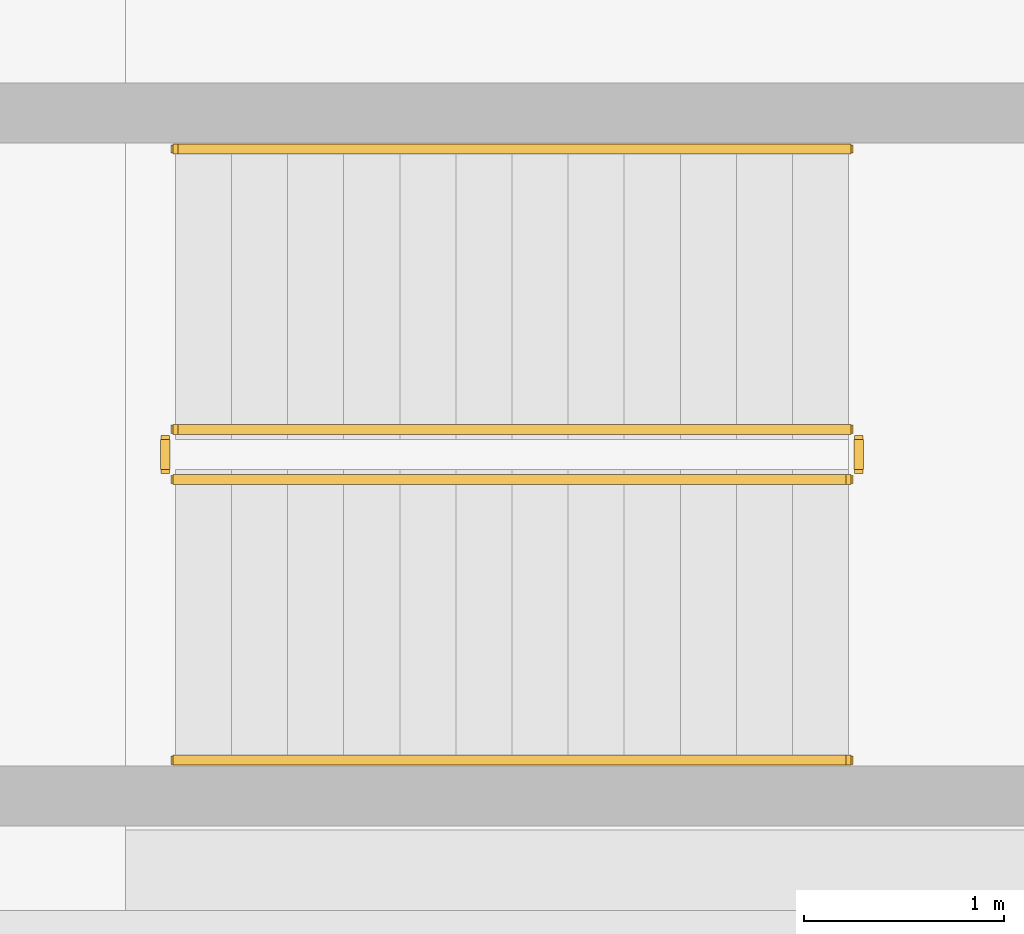
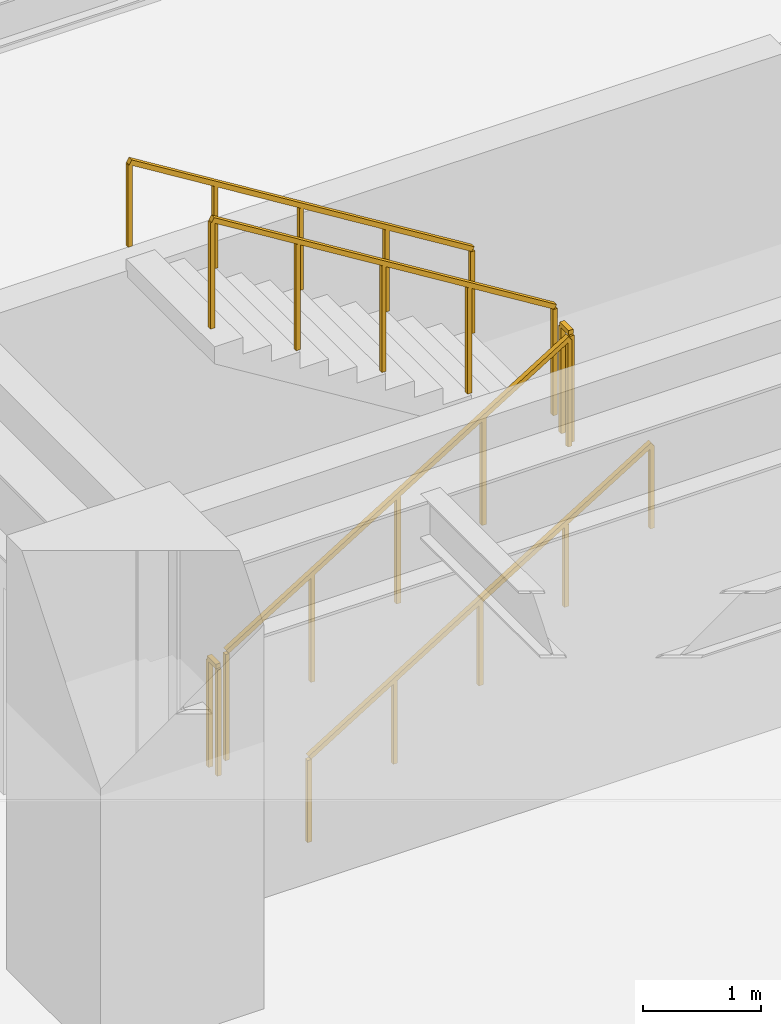
# One storey, part 9 of 10: 6 railings.
"""IFC4 building model written with IfcOpenShell, lengths in metres."""

from ifc_helpers import new_model, si_unit, direction, frame, origin, origin_2d, place, context, subcontext, project, spatial, rectangle, extrude, material, type_object, element, save


model = new_model("IFC4")

# Units and contexts
model_context = context("Model", 3, precision=1e-05, world=origin(), true_north=direction((0.0, 1.0)))
body_context = subcontext(model_context, "Body", "Model", "MODEL_VIEW")
ifc_project = project(units=[si_unit("LENGTHUNIT", "METRE"), si_unit("AREAUNIT", "SQUARE_METRE"), si_unit("VOLUMEUNIT", "CUBIC_METRE"), si_unit("PLANEANGLEUNIT", "RADIAN"), si_unit("MASSUNIT", "GRAM", prefix="KILO")], contexts=[model_context])

# Site, building, storey
site_placement = place(None, origin())
site = spatial("IfcSite", under=ifc_project, at=site_placement, CompositionType="ELEMENT")
building_placement = place(site_placement, origin())
building = spatial("IfcBuilding", under=site, at=building_placement, Name="Mawjaban Terraces University", CompositionType="ELEMENT")
storey_placement = place(building_placement, frame((0.0, 0.0, -9.0)))
storey = spatial("IfcBuildingStorey", under=building, at=storey_placement, Name="B2", CompositionType="ELEMENT", Elevation=-9.0)

# Railings
ifc_material_1 = material(Name="Brushed stainless steel 316", Category="steel")
railing_type_1 = type_object("IfcRailingType", Name="StairWallHandrail_900", PredefinedType="HANDRAIL", material=ifc_material_1)
railing_1_placement = place(storey_placement, frame((39.89990234375, 42.14990234375, 0.173095703125)))
element("IfcRailing", 1, at=railing_1_placement, inside=storey, type_object=railing_type_1, Name="B2 ST-4 stair handrail 1", PredefinedType="HANDRAIL", context=body_context, shape_type="SweptSolid", body=[
    extrude(rectangle(XDim=0.048095703125, YDim=0.048095703125, at=origin_2d()), frame((0.0, 0.0, 0.8759765625), z_axis=(0.850623216509, 0.0, 0.525775754039), x_axis=(0.0, 1.0, 0.0)), (0.0, 0.0, 1.0), 3.9501953125),
    extrude(rectangle(XDim=0.0419921875, YDim=0.0419921875, at=origin_2d()), origin(), (0.0, 0.0, 1.0), 0.851806640625),
    extrude(rectangle(XDim=0.0419921875, YDim=0.0419921875, at=origin_2d()), frame((0.840087890625, 0.0, 0.519287109375)), (0.0, 0.0, 1.0), 0.851806640625),
    extrude(rectangle(XDim=0.0419921875, YDim=0.0419921875, at=origin_2d()), frame((1.68017578125, 0.0, 1.03857421875)), (0.0, 0.0, 1.0), 0.851806640625),
    extrude(rectangle(XDim=0.0419921875, YDim=0.0419921875, at=origin_2d()), frame((2.52001953125, 0.0, 1.5576171875)), (0.0, 0.0, 1.0), 0.851806640625),
    extrude(rectangle(XDim=0.0419921875, YDim=0.0419921875, at=origin_2d()), frame((3.360107421875, 0.0, 2.076904296875)), (0.0, 0.0, 1.0), 0.851806640625),
])
railing_2_placement = place(storey_placement, frame((43.260009765625, 45.199951171875, 2.423095703125)))
element("IfcRailing", 2, at=railing_2_placement, inside=storey, type_object=railing_type_1, Name="B2 ST-4 stair handrail 2", PredefinedType="HANDRAIL", context=body_context, shape_type="SweptSolid", body=[
    extrude(rectangle(XDim=0.048095703125, YDim=0.048095703125, at=origin_2d()), frame((0.0, 0.0, 0.8759765625), z_axis=(-0.850623216509, 0.0, 0.525775754039), x_axis=(0.0, -1.0, 0.0)), (0.0, 0.0, 1.0), 3.9501953125),
    extrude(rectangle(XDim=0.0419921875, YDim=0.0419921875, at=origin_2d()), origin(), (0.0, 0.0, 1.0), 0.851806640625),
    extrude(rectangle(XDim=0.0419921875, YDim=0.0419921875, at=origin_2d()), frame((-0.840087890625, 0.0, 0.519287109375)), (0.0, 0.0, 1.0), 0.851806640625),
    extrude(rectangle(XDim=0.0419921875, YDim=0.0419921875, at=origin_2d()), frame((-1.68017578125, 0.0, 1.03857421875)), (0.0, 0.0, 1.0), 0.851806640625),
    extrude(rectangle(XDim=0.0419921875, YDim=0.0419921875, at=origin_2d()), frame((-2.52001953125, 0.0, 1.5576171875)), (0.0, 0.0, 1.0), 0.851806640625),
    extrude(rectangle(XDim=0.0419921875, YDim=0.0419921875, at=origin_2d()), frame((-3.360107421875, 0.0, 2.076904296875)), (0.0, 0.0, 1.0), 0.851806640625),
])
ifc_material_2 = material(Name="Galvanised painted steel S355", Category="steel")
railing_type_2 = type_object("IfcRailingType", Name="StairWellGuard_1150", PredefinedType="BALUSTRADE", material=ifc_material_2)
railing_3_placement = place(storey_placement, frame((39.89990234375, 43.550048828125, 0.173095703125)))
element("IfcRailing", 3, at=railing_3_placement, inside=storey, type_object=railing_type_2, Name="B2 ST-4 stair guard 1", PredefinedType="BALUSTRADE", context=body_context, shape_type="SweptSolid", body=[
    extrude(rectangle(XDim=0.048095703125, YDim=0.048095703125, at=origin_2d()), frame((0.0, 0.0, 1.1259765625), z_axis=(0.850623216509, 0.0, 0.525775754039), x_axis=(0.0, 1.0, 0.0)), (0.0, 0.0, 1.0), 3.9501953125),
    extrude(rectangle(XDim=0.0419921875, YDim=0.0419921875, at=origin_2d()), origin(), (0.0, 0.0, 1.0), 1.101806640625),
    extrude(rectangle(XDim=0.0419921875, YDim=0.0419921875, at=origin_2d()), frame((0.840087890625, 0.0, 0.519287109375)), (0.0, 0.0, 1.0), 1.101806640625),
    extrude(rectangle(XDim=0.0419921875, YDim=0.0419921875, at=origin_2d()), frame((1.68017578125, 0.0, 1.03857421875)), (0.0, 0.0, 1.0), 1.101806640625),
    extrude(rectangle(XDim=0.0419921875, YDim=0.0419921875, at=origin_2d()), frame((2.52001953125, 0.0, 1.5576171875)), (0.0, 0.0, 1.0), 1.101806640625),
    extrude(rectangle(XDim=0.0419921875, YDim=0.0419921875, at=origin_2d()), frame((3.360107421875, 0.0, 2.076904296875)), (0.0, 0.0, 1.0), 1.101806640625),
])
railing_4_placement = place(storey_placement, frame((43.31005859375, 43.60009765625, 2.25)))
element("IfcRailing", 4, at=railing_4_placement, inside=storey, type_object=railing_type_2, Name="B2 ST-4 stair guard 2", PredefinedType="BALUSTRADE", context=body_context, shape_type="SweptSolid", body=[
    extrude(rectangle(XDim=0.048095703125, YDim=0.048095703125, at=origin_2d()), frame((0.0, 0.0, 1.1259765625), z_axis=(0.0, 1.0, 0.0), x_axis=(-1.0, 0.0, 0.0)), (0.0, 0.0, 1.0), 0.14990234375),
    extrude(rectangle(XDim=0.0419921875, YDim=0.0419921875, at=origin_2d()), origin(), (0.0, 0.0, 1.0), 1.101806640625),
    extrude(rectangle(XDim=0.0419921875, YDim=0.0419921875, at=origin_2d()), frame((0.0, 0.14990234375, 0.0)), (0.0, 0.0, 1.0), 1.101806640625),
])
railing_5_placement = place(storey_placement, frame((43.260009765625, 43.800048828125, 2.423095703125)))
element("IfcRailing", 5, at=railing_5_placement, inside=storey, type_object=railing_type_2, Name="B2 ST-4 stair guard 3", PredefinedType="BALUSTRADE", context=body_context, shape_type="SweptSolid", body=[
    extrude(rectangle(XDim=0.048095703125, YDim=0.048095703125, at=origin_2d()), frame((0.0, 0.0, 1.1259765625), z_axis=(-0.850623216509, 0.0, 0.525775754039), x_axis=(0.0, -1.0, 0.0)), (0.0, 0.0, 1.0), 3.9501953125),
    extrude(rectangle(XDim=0.0419921875, YDim=0.0419921875, at=origin_2d()), origin(), (0.0, 0.0, 1.0), 1.101806640625),
    extrude(rectangle(XDim=0.0419921875, YDim=0.0419921875, at=origin_2d()), frame((-0.840087890625, 0.0, 0.519287109375)), (0.0, 0.0, 1.0), 1.101806640625),
    extrude(rectangle(XDim=0.0419921875, YDim=0.0419921875, at=origin_2d()), frame((-1.68017578125, 0.0, 1.03857421875)), (0.0, 0.0, 1.0), 1.101806640625),
    extrude(rectangle(XDim=0.0419921875, YDim=0.0419921875, at=origin_2d()), frame((-2.52001953125, 0.0, 1.5576171875)), (0.0, 0.0, 1.0), 1.101806640625),
    extrude(rectangle(XDim=0.0419921875, YDim=0.0419921875, at=origin_2d()), frame((-3.360107421875, 0.0, 2.076904296875)), (0.0, 0.0, 1.0), 1.101806640625),
])
railing_6_placement = place(storey_placement, frame((39.85009765625, 43.60009765625, 0.0)))
element("IfcRailing", 6, at=railing_6_placement, inside=storey, type_object=railing_type_2, Name="B2 ST-4 stair guard 4", PredefinedType="BALUSTRADE", context=body_context, shape_type="SweptSolid", body=[
    extrude(rectangle(XDim=0.048095703125, YDim=0.048095703125, at=origin_2d()), frame((0.0, 0.0, 1.1259765625), z_axis=(0.0, 1.0, 0.0), x_axis=(-1.0, 0.0, 0.0)), (0.0, 0.0, 1.0), 0.14990234375),
    extrude(rectangle(XDim=0.0419921875, YDim=0.0419921875, at=origin_2d()), origin(), (0.0, 0.0, 1.0), 1.101806640625),
    extrude(rectangle(XDim=0.0419921875, YDim=0.0419921875, at=origin_2d()), frame((0.0, 0.14990234375, 0.0)), (0.0, 0.0, 1.0), 1.101806640625),
])

save(model, "model.ifc")
